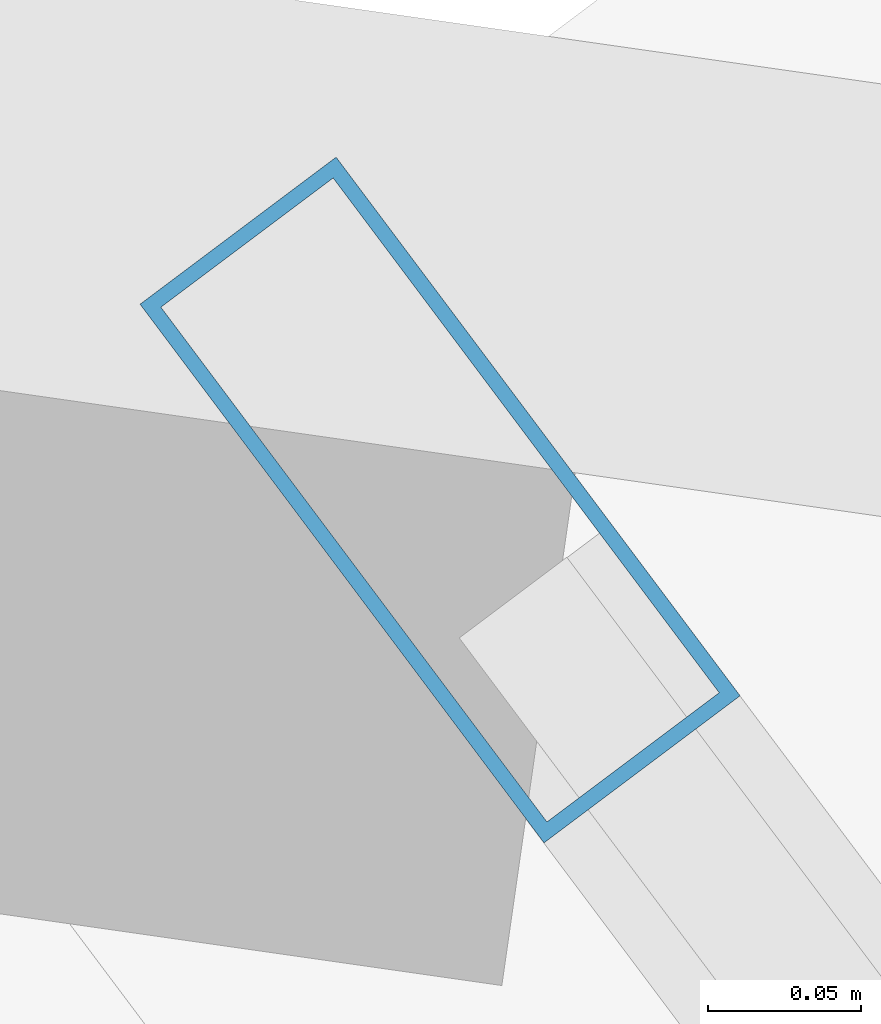
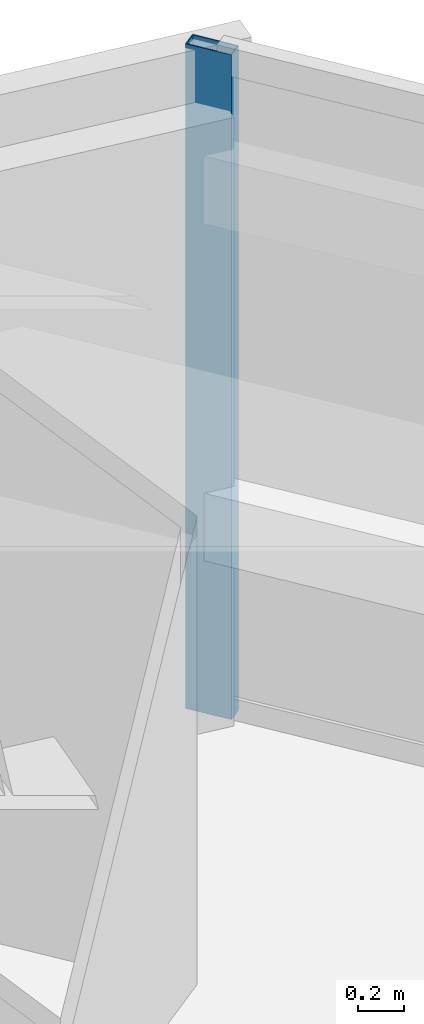
# One storey, part 35 of 49: 1 member, 1 element without a shape of its own.
"""IFC4 building model written with IfcOpenShell, lengths in metres."""

from ifc_helpers import new_model, si_unit, direction, frame, origin, origin_2d, place, context, subcontext, project, spatial, hollow_rectangle, extrude, material, material_profile, profile_set, type_object, element, aggregate, save


model = new_model("IFC4")

# Units and contexts
model_context = context("Model", 3, precision=1e-05, world=origin(), true_north=direction((0.0, 1.0)))
body_context = subcontext(model_context, "Body", "Model", "MODEL_VIEW")
ifc_project = project(units=[si_unit("LENGTHUNIT", "METRE"), si_unit("AREAUNIT", "SQUARE_METRE"), si_unit("VOLUMEUNIT", "CUBIC_METRE"), si_unit("PLANEANGLEUNIT", "RADIAN"), si_unit("MASSUNIT", "GRAM", prefix="KILO")], contexts=[model_context])

# Site, building, storey
site_placement = place(None, origin())
site = spatial("IfcSite", under=ifc_project, at=site_placement, CompositionType="ELEMENT")
building_placement = place(site_placement, origin())
building = spatial("IfcBuilding", under=site, at=building_placement, Name="Tashvorn Skyway Center", CompositionType="ELEMENT")
storey_placement = place(building_placement, frame((0.0, 0.0, 106.25)))
storey = spatial("IfcBuildingStorey", under=building, at=storey_placement, Name="L28", CompositionType="ELEMENT", Elevation=106.25)

# Curtain wall, member
ifc_material = material(Name="Thermally broken bronze-anodized aluminium 6063-T6", Category="aluminium")
curtain_wall_type = type_object("IfcCurtainWallType", Name="CW-CW-Z2", PredefinedType="NOTDEFINED", material=ifc_material)
curtain_wall_placement = place(storey_placement, origin())
curtain_wall = element("IfcCurtainWall", 1, at=curtain_wall_placement, inside=storey, type_object=curtain_wall_type, Name="Tower 2 L28 East Unitised Curtain Wall Glazing Group 1", PredefinedType="NOTDEFINED")
ifc_material_profile = material_profile(ifc_material, hollow_rectangle(XDim=0.080078125, YDim=0.219970703125, WallThickness=0.0048828125, at=origin_2d()), Name="ALU-MULL-80x220")
ifc_profile_set = profile_set([ifc_material_profile], Name="Thermally broken bronze-anodized aluminium 6063-T6")
member_type = type_object("IfcMemberType", Name="CWM-CW-Z2", PredefinedType="MULLION", material=ifc_profile_set)
member_placement = place(storey_placement, frame((119.56005859375, 57.719970703125, 0.0), z_axis=(0.0, 0.0, 1.0), x_axis=(0.799999999998, 0.600000000002, 0.0)))
member = element("IfcMember", 2, at=member_placement, type_object=member_type, Name="CW-Z2 mullion 1", PredefinedType="MULLION", context=body_context, shape_type="SweptSolid", body=[
    extrude(hollow_rectangle(XDim=0.080078125, YDim=0.219970703125, WallThickness=0.0048828125, at=origin_2d()), origin(), (0.0, 0.0, 1.0), 3.550048828125),
])
aggregate(curtain_wall, [member])

save(model, "model.ifc")
